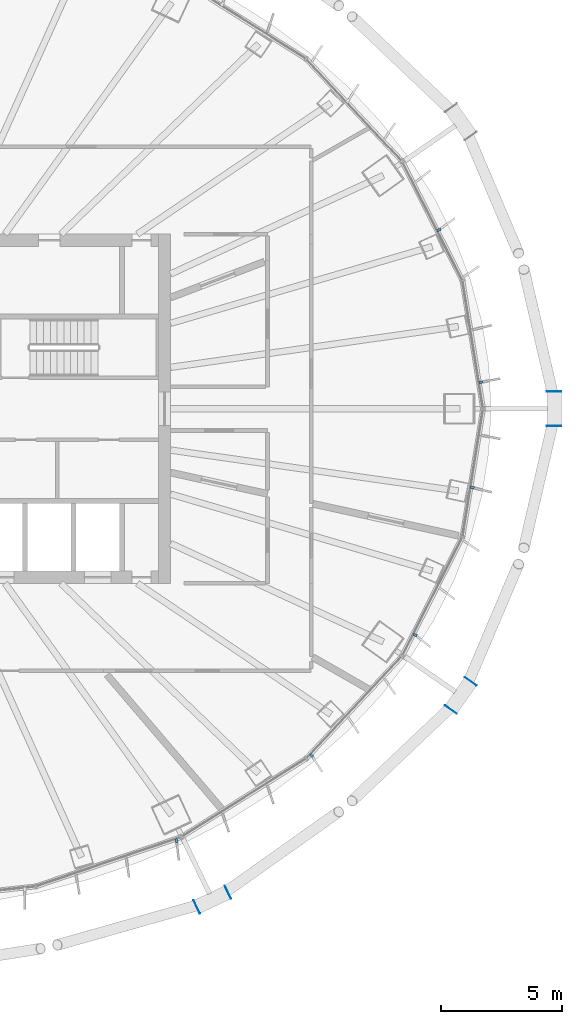
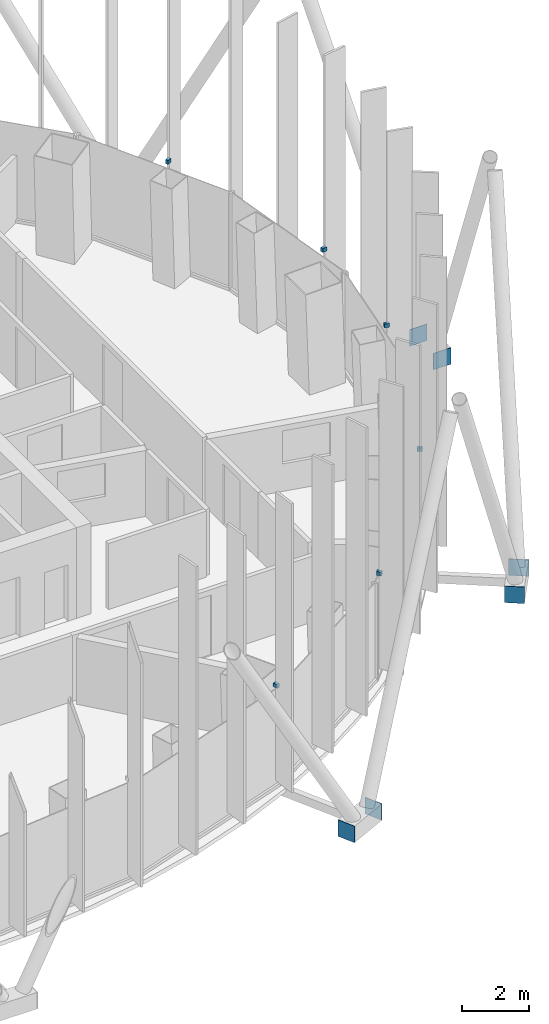
# One storey, part 13 of 19: 12 discrete accessories.
"""IFC4 building model written with IfcOpenShell, lengths in metres."""

from ifc_helpers import new_model, si_unit, direction, frame, origin, origin_2d, place, context, subcontext, project, spatial, rectangle, extrude, material, layer, layer_set, type_object, element, save


model = new_model("IFC4")

# Units and contexts
model_context = context("Model", 3, precision=1e-05, world=origin(), true_north=direction((0.0, 1.0)))
body_context = subcontext(model_context, "Body", "Model", "MODEL_VIEW")
ifc_project = project(units=[si_unit("LENGTHUNIT", "METRE"), si_unit("AREAUNIT", "SQUARE_METRE"), si_unit("VOLUMEUNIT", "CUBIC_METRE"), si_unit("PLANEANGLEUNIT", "RADIAN"), si_unit("MASSUNIT", "GRAM", prefix="KILO")], contexts=[model_context])

# Site, building, storey
site_placement = place(None, origin())
site = spatial("IfcSite", under=ifc_project, at=site_placement, CompositionType="ELEMENT")
building_placement = place(site_placement, origin())
building = spatial("IfcBuilding", under=site, at=building_placement, Name="Siaravel Broadcast Tower", CompositionType="ELEMENT")
storey_placement = place(building_placement, frame((0.0, 0.0, 130.39990234375)))
storey = spatial("IfcBuildingStorey", under=building, at=storey_placement, Name="L31", CompositionType="ELEMENT", Elevation=130.39990234375)

# Discrete accessories
ifc_material_1 = material(Name="Stainless steel 316", Category="steel")
discrete_accessory_type_1 = type_object("IfcDiscreteAccessoryType", Name="Stainless steel fin bracket", PredefinedType="USERDEFINED", material=ifc_material_1)
for number, where, z_axis, x_axis, name in (
    (1, (24.792236328125, 1.0927734375, 3.68505859375), (0.0, 0.0, 1.0), (0.987329198, 0.158685394, 0.0), "Fin bracket L31-01"),
    (2, (23.068115234375, 7.376708984375, 3.68505859375), (0.0, 0.0, 1.0), (0.892392939, 0.451259174, 0.0), "Fin bracket L31-04"),
    (3, (12.243896484375, -17.814697265625, 3.68505859375), (0.0, 0.0, 1.0), (0.321302287, -0.946976684, 0.0), "Fin bracket L31-55"),
    (4, (17.8173828125, -14.302978515625, 3.68505859375), (0.0, 0.0, 1.0), (0.729806802, -0.683653445, 0.0), "Fin bracket L31-58"),
    (5, (22.080810546875, -9.3291015625, 3.68505859375), (0.0, 0.0, 1.0), (0.892392939, -0.451259174, 0.0), "Fin bracket L31-61"),
    (6, (24.4453125, -3.252685546875, 3.68505859375), (0.0, 0.0, 1.0), (0.987329198, -0.158685394, 0.0), "Fin bracket L31-64"),
):
    element("IfcDiscreteAccessory", number, at=place(storey_placement, frame(where, z_axis=z_axis, x_axis=x_axis)), inside=storey, type_object=discrete_accessory_type_1, Name=name, ObjectType="BRACKET", PredefinedType="USERDEFINED", context=body_context, shape_type="SweptSolid", body=[
        extrude(rectangle(XDim=0.159912109375, YDim=0.10009765625, at=origin_2d()), origin(), (0.0, 0.0, 1.0), 0.139892578125),
    ])
ifc_material_2 = material(Name="Steel S355", Category="steel")
ifc_layer = layer(ifc_material_2, 0.02001953125)
ifc_layer_set = layer_set([ifc_layer], Name="Steel S355")
discrete_accessory_type_2 = type_object("IfcDiscreteAccessoryType", Name="Steel end plate 20 mm", PredefinedType="USERDEFINED", material=ifc_layer_set)
for number, where, z_axis, x_axis, name in (
    (7, (27.821044921875, 0.7099609375, -0.5), (0.0, 0.0, 1.0), (0.0, 1.0, 0.0), "End plate R13 station 00A"),
    (8, (27.821044921875, -0.7099609375, -0.5), (0.0, 0.0, 1.0), (0.0, 1.0, 0.0), "End plate R13 station 00B"),
    (9, (14.36376953125, -19.93798828125, -0.5), (0.0, 0.0, 1.0), (0.904007202, 0.427517227, 0.0), "End plate R13 station 60A"),
    (10, (13.080322265625, -20.545166015625, -0.5), (0.0, 0.0, 1.0), (0.904007202, 0.427517227, 0.0), "End plate R13 station 60B"),
    (11, (24.376220703125, -11.247314453125, -0.5), (0.0, 0.0, 1.0), (0.576119939, 0.817365167, 0.0), "End plate R13 station 66A"),
    (12, (23.558349609375, -12.40771484375, -0.5), (0.0, 0.0, 1.0), (0.576119939, 0.817365167, 0.0), "End plate R13 station 66B"),
):
    element("IfcDiscreteAccessory", number, at=place(storey_placement, frame(where, z_axis=z_axis, x_axis=x_axis)), inside=storey, type_object=discrete_accessory_type_2, Name=name, ObjectType="END PLATE", PredefinedType="USERDEFINED", context=body_context, shape_type="SweptSolid", body=[
        extrude(rectangle(XDim=0.02001953125, YDim=0.60009765625, at=origin_2d()), origin(), (0.0, 0.0, 1.0), 0.60009765625),
    ])

save(model, "model.ifc")
